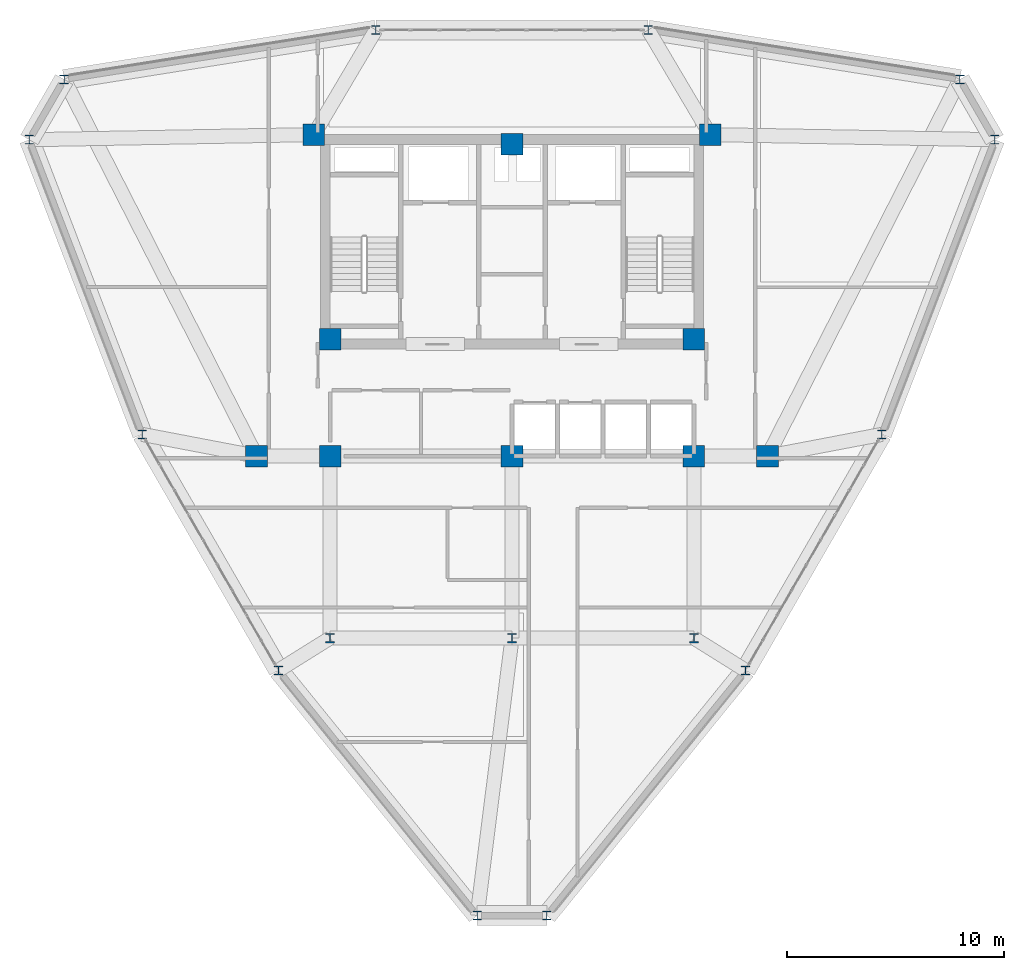
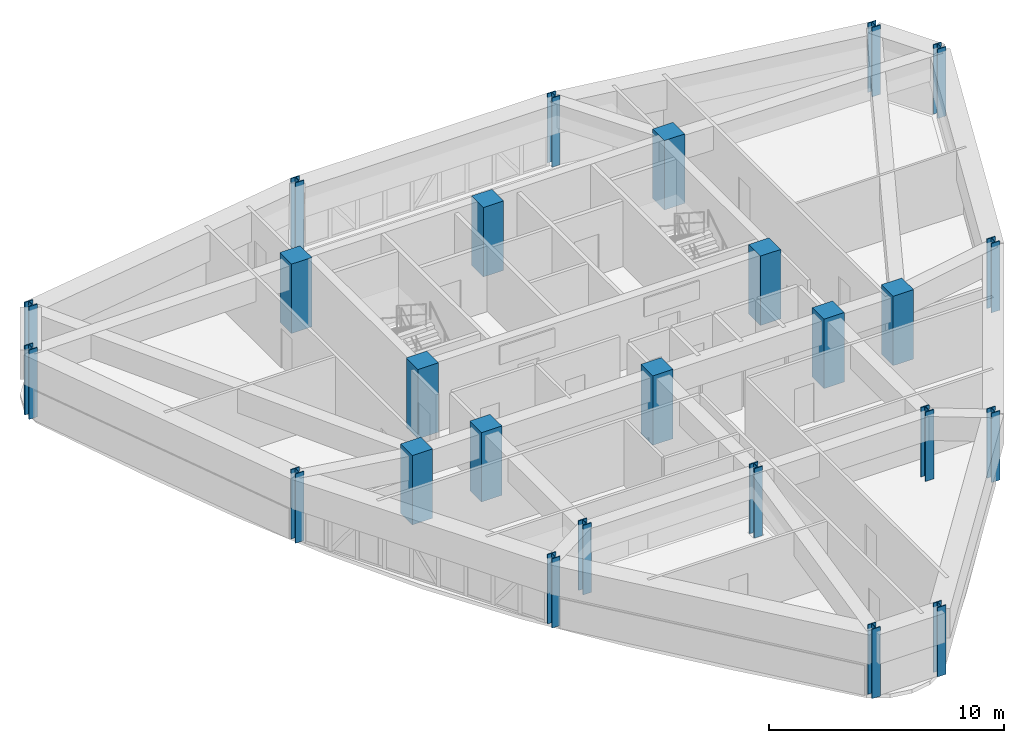
# One storey, part 1 of 13: 25 columns.
"""IFC4 building model written with IfcOpenShell, lengths in metres."""

from ifc_helpers import new_model, si_unit, derived_unit, direction, frame, origin, origin_2d, place, context, subcontext, project, spatial, rectangle, i_section, extrude, source, transform, mapped, material, material_profile, profile_set, type_object, element, save


model = new_model("IFC4")

# Units and contexts
model_context = context("Model", 3, precision=1e-05, world=origin(), true_north=direction((0.0, 1.0)))
body_context = subcontext(model_context, "Body", "Model", "MODEL_VIEW")
ifc_project = project(units=[si_unit("LENGTHUNIT", "METRE"), si_unit("AREAUNIT", "SQUARE_METRE"), si_unit("VOLUMEUNIT", "CUBIC_METRE"), si_unit("PLANEANGLEUNIT", "RADIAN"), si_unit("MASSUNIT", "GRAM", prefix="KILO"), derived_unit("THERMALTRANSMITTANCEUNIT", [(si_unit("POWERUNIT", "WATT"), 1), (si_unit("LENGTHUNIT", "METRE"), -2), (si_unit("THERMODYNAMICTEMPERATUREUNIT", "KELVIN"), -1)])], contexts=[model_context])

# Site, building, storey
site_placement = place(None, origin())
site = spatial("IfcSite", under=ifc_project, at=site_placement, CompositionType="ELEMENT")
building_placement = place(site_placement, origin())
building = spatial("IfcBuilding", under=site, at=building_placement, Name="Korsvarv Bourse and Concert Hall", CompositionType="ELEMENT")
storey_placement = place(building_placement, frame((0.0, 0.0, 179.39990234375)))
storey = spatial("IfcBuildingStorey", under=building, at=storey_placement, Name="L46", CompositionType="ELEMENT", Elevation=179.39990234375)

# Columns
ifc_material_1 = material(Name="Steel S355", Category="steel")
ifc_material_profile_1 = material_profile(ifc_material_1, i_section(OverallWidth=0.412109375, OverallDepth=0.43505859375, WebThickness=0.032958984375, FlangeThickness=0.052978515625, FilletRadius=0.014892578125, at=origin_2d()), Name="HD 400x463")
ifc_profile_set_1 = profile_set([ifc_material_profile_1], Name="Steel S355")
column_type_1 = type_object("IfcColumnType", Name="COL-HD463", PredefinedType="COLUMN", material=ifc_profile_set_1)
shared_shape_1 = source(origin(), body_context, "Body", "SweptSolid", [
    extrude(i_section(OverallWidth=0.412109375, OverallDepth=0.43505859375, WebThickness=0.032958984375, FlangeThickness=0.052978515625, FilletRadius=0.014892578125, at=origin_2d()), origin(), (0.0, 0.0, 1.0), 3.60009765625),
])
for number, where, z_axis, x_axis, name in (
    (1, (27.60009765625, 24.0, 0.0), (0.0, 0.0, 1.0), (1.0, 0.0, 0.0), "L46 column C-09"),
    (2, (44.39990234375, 24.0, 0.0), (0.0, 0.0, 1.0), (1.0, 0.0, 0.0), "L46 column C-09"),
    (3, (36.0, 24.0, 0.0), (0.0, 0.0, 1.0), (1.0, 0.0, 0.0), "L46 column C-09"),
):
    element("IfcColumn", number, at=place(storey_placement, frame(where, z_axis=z_axis, x_axis=x_axis)), inside=storey, type_object=column_type_1, Name=name, PredefinedType="COLUMN", context=body_context, shape_type="MappedRepresentation", body=[
        mapped(shared_shape_1, transform((0.0, 0.0, 0.0), scale=1.0)),
    ])
ifc_material_2 = material(Name="Concrete C55/67", Category="concrete")
ifc_material_profile_2 = material_profile(ifc_material_2, rectangle(XDim=1.0, YDim=1.0, at=origin_2d()), Name="RC 1000x1000")
ifc_profile_set_2 = profile_set([ifc_material_profile_2], Name="Concrete C55/67")
column_type_2 = type_object("IfcColumnType", Name="COL-RC1000", PredefinedType="COLUMN", material=ifc_profile_set_2)
shared_shape_2 = source(origin(), body_context, "Body", "SweptSolid", [
    extrude(rectangle(XDim=1.0, YDim=1.0, at=origin_2d()), origin(), (0.0, 0.0, 1.0), 3.60009765625),
])
for number, where, z_axis, x_axis, name in (
    (4, (26.85009765625, 47.25, 0.0), (0.0, 0.0, 1.0), (1.0, 0.0, 0.0), "L46 column C-03"),
    (5, (45.14990234375, 47.25, 0.0), (0.0, 0.0, 1.0), (1.0, 0.0, 0.0), "L46 column C-03"),
    (6, (27.60009765625, 37.800048828125, 0.0), (0.0, 0.0, 1.0), (1.0, 0.0, 0.0), "L46 column C-03"),
    (7, (44.39990234375, 37.800048828125, 0.0), (0.0, 0.0, 1.0), (1.0, 0.0, 0.0), "L46 column C-03"),
    (8, (27.60009765625, 32.39990234375, 0.0), (0.0, 0.0, 1.0), (1.0, 0.0, 0.0), "L46 column C-03"),
    (9, (44.39990234375, 32.39990234375, 0.0), (0.0, 0.0, 1.0), (1.0, 0.0, 0.0), "L46 column C-03"),
    (10, (36.0, 46.800048828125, 0.0), (0.0, 0.0, 1.0), (1.0, 0.0, 0.0), "L46 column C-03"),
    (11, (36.0, 32.39990234375, 0.0), (0.0, 0.0, 1.0), (1.0, 0.0, 0.0), "L46 column C-03"),
    (12, (24.199951171875, 32.39990234375, 0.0), (0.0, 0.0, 1.0), (1.0, 0.0, 0.0), "L46 column C-03"),
    (13, (47.800048828125, 32.39990234375, 0.0), (0.0, 0.0, 1.0), (1.0, 0.0, 0.0), "L46 column C-03"),
):
    element("IfcColumn", number, at=place(storey_placement, frame(where, z_axis=z_axis, x_axis=x_axis)), inside=storey, type_object=column_type_2, Name=name, PredefinedType="COLUMN", context=body_context, shape_type="MappedRepresentation", body=[
        mapped(shared_shape_2, transform((0.0, 0.0, 0.0), scale=1.0)),
    ])
ifc_material_profile_3 = material_profile(ifc_material_1, i_section(OverallWidth=0.406005859375, OverallDepth=0.416015625, WebThickness=0.027099609375, FlangeThickness=0.0439453125, FilletRadius=0.014892578125, at=origin_2d()), Name="HD 400x382")
ifc_profile_set_3 = profile_set([ifc_material_profile_3], Name="Steel S355")
column_type_3 = type_object("IfcColumnType", Name="COL-HD382", PredefinedType="COLUMN", material=ifc_profile_set_3)
shared_shape_3 = source(origin(), body_context, "Body", "SweptSolid", [
    extrude(i_section(OverallWidth=0.406005859375, OverallDepth=0.416015625, WebThickness=0.027099609375, FlangeThickness=0.0439453125, FilletRadius=0.014892578125, at=origin_2d()), origin(), (0.0, 0.0, 1.0), 3.60009765625),
])
for number, where, z_axis, x_axis, name in (
    (14, (58.290283203125, 47.012939453125, 0.0), (0.0, 0.0, 1.0), (1.0, 0.0, 0.0), "L46 column C-10"),
    (15, (56.6826171875, 49.797607421875, 0.0), (0.0, 0.0, 1.0), (1.0, 0.0, 0.0), "L46 column C-10"),
    (16, (42.289306640625, 52.082275390625, 0.0), (0.0, 0.0, 1.0), (1.0, 0.0, 0.0), "L46 column C-10"),
    (17, (29.710693359375, 52.082275390625, 0.0), (0.0, 0.0, 1.0), (1.0, 0.0, 0.0), "L46 column C-10"),
    (18, (15.3173828125, 49.797607421875, 0.0), (0.0, 0.0, 1.0), (1.0, 0.0, 0.0), "L46 column C-10"),
    (19, (13.709716796875, 47.012939453125, 0.0), (0.0, 0.0, 1.0), (1.0, 0.0, 0.0), "L46 column C-10"),
    (20, (18.927490234375, 33.405517578125, 0.0), (0.0, 0.0, 1.0), (1.0, 0.0, 0.0), "L46 column C-10"),
    (21, (25.216796875, 22.51220703125, 0.0), (0.0, 0.0, 1.0), (1.0, 0.0, 0.0), "L46 column C-10"),
    (22, (34.392333984375, 11.189453125, 0.0), (0.0, 0.0, 1.0), (1.0, 0.0, 0.0), "L46 column C-10"),
    (23, (37.607666015625, 11.189453125, 0.0), (0.0, 0.0, 1.0), (1.0, 0.0, 0.0), "L46 column C-10"),
    (24, (46.783203125, 22.51220703125, 0.0), (0.0, 0.0, 1.0), (1.0, 0.0, 0.0), "L46 column C-10"),
    (25, (53.072509765625, 33.405517578125, 0.0), (0.0, 0.0, 1.0), (1.0, 0.0, 0.0), "L46 column C-10"),
):
    element("IfcColumn", number, at=place(storey_placement, frame(where, z_axis=z_axis, x_axis=x_axis)), inside=storey, type_object=column_type_3, Name=name, PredefinedType="COLUMN", context=body_context, shape_type="MappedRepresentation", body=[
        mapped(shared_shape_3, transform((0.0, 0.0, 0.0), scale=1.0)),
    ])

save(model, "model.ifc")
